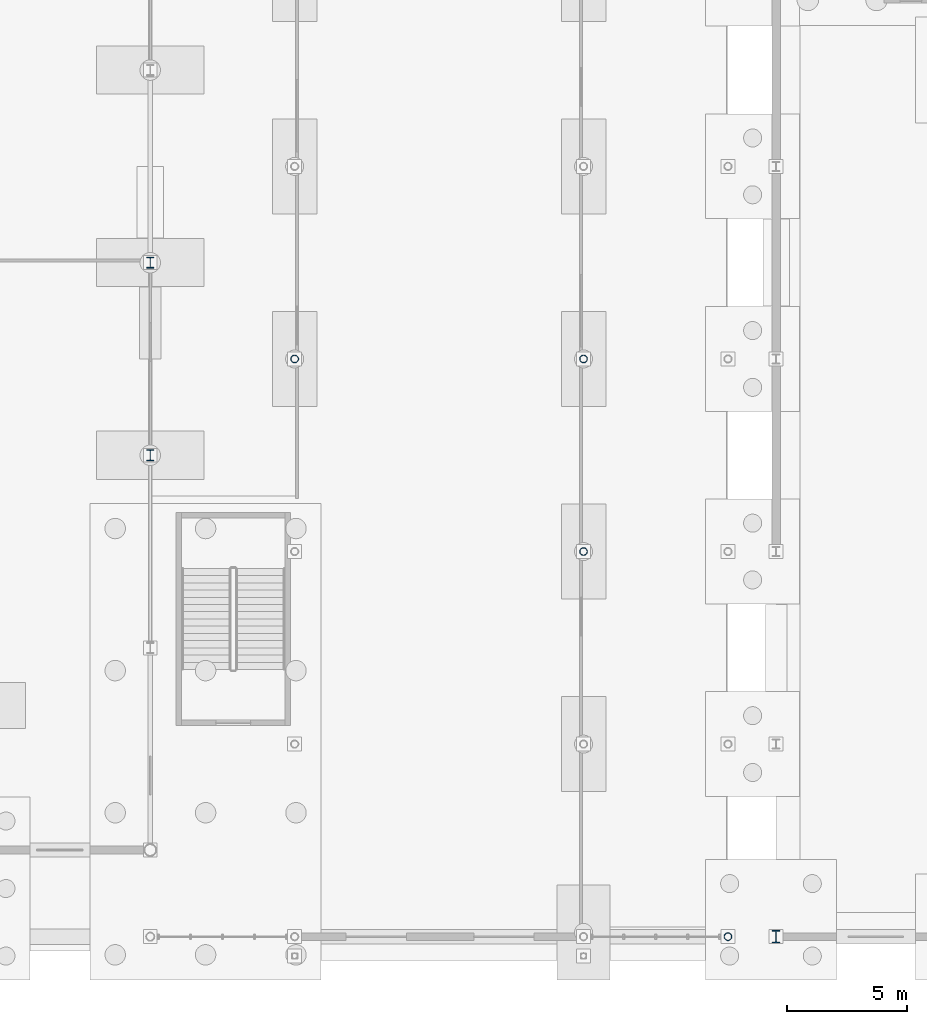
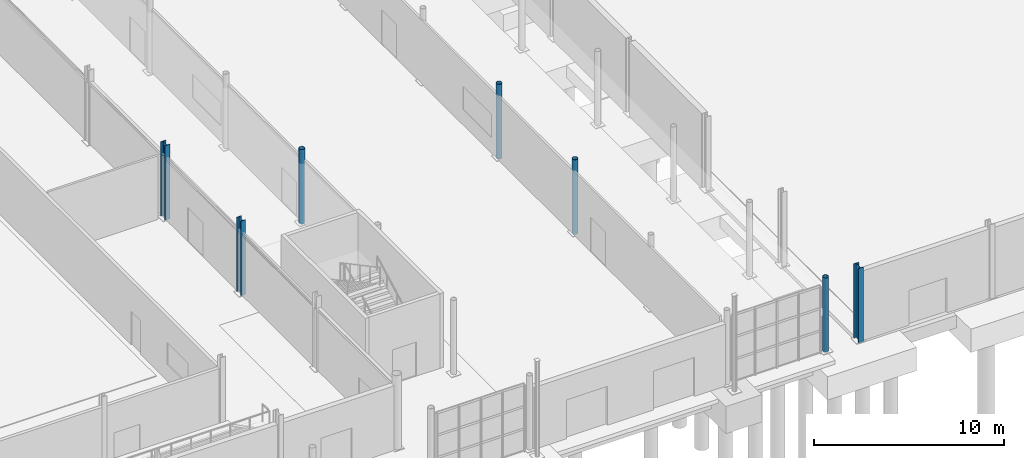
# One storey, part 12 of 101: 7 columns.
"""IFC4 building model written with IfcOpenShell, lengths in metres."""

from ifc_helpers import new_model, si_unit, derived_unit, direction, frame, origin, origin_2d, place, context, subcontext, project, spatial, hollow_circle, i_section, extrude, material, material_profile, profile_set, type_object, element, save


model = new_model("IFC4")

# Units and contexts
model_context = context("Model", 3, precision=1e-05, world=origin(), true_north=direction((0.0, 1.0)))
body_context = subcontext(model_context, "Body", "Model", "MODEL_VIEW")
ifc_project = project(units=[si_unit("LENGTHUNIT", "METRE"), si_unit("AREAUNIT", "SQUARE_METRE"), si_unit("VOLUMEUNIT", "CUBIC_METRE"), si_unit("PLANEANGLEUNIT", "RADIAN"), si_unit("MASSUNIT", "GRAM", prefix="KILO"), derived_unit("THERMALTRANSMITTANCEUNIT", [(si_unit("POWERUNIT", "WATT"), 1), (si_unit("LENGTHUNIT", "METRE"), -2), (si_unit("THERMODYNAMICTEMPERATUREUNIT", "KELVIN"), -1)])], contexts=[model_context])

# Site, building, storey
site_placement = place(None, origin())
site = spatial("IfcSite", under=ifc_project, at=site_placement, CompositionType="ELEMENT")
building_placement = place(site_placement, origin())
building = spatial("IfcBuilding", under=site, at=building_placement, Name="Keldorne Ridge Multi-Sports Centre", CompositionType="ELEMENT")
storey_placement = place(building_placement, origin())
storey = spatial("IfcBuildingStorey", under=building, at=storey_placement, Name="L00", CompositionType="ELEMENT", Elevation=0.0)

# Columns
ifc_material = material(Name="Steel S355", Category="steel")
ifc_material_profile_1 = material_profile(ifc_material, i_section(OverallWidth=0.305908203125, OverallDepth=0.52392578125, WebThickness=0.02099609375, FlangeThickness=0.0400390625, FilletRadius=0.027099609375, at=origin_2d()), Name="HEM 500")
ifc_profile_set_1 = profile_set([ifc_material_profile_1], Name="Steel S355")
column_type_1 = type_object("IfcColumnType", Name="COL-C-04", PredefinedType="COLUMN", material=ifc_profile_set_1)
column_placement = place(storey_placement, frame((104.0, 6.0, 0.0), z_axis=(0.0, 0.0, 1.0), x_axis=(1.0, 0.0, 0.0)))
element("IfcColumn", 1, at=column_placement, inside=storey, type_object=column_type_1, Name="Structural column V2-TRUSS-S-01 on L00", PredefinedType="COLUMN", context=body_context, shape_type="SweptSolid", body=[
    extrude(i_section(OverallWidth=0.305908203125, OverallDepth=0.52392578125, WebThickness=0.02099609375, FlangeThickness=0.0400390625, FilletRadius=0.027099609375, at=origin_2d()), origin(), (0.0, 0.0, 1.0), 4.800048828125),
])
ifc_material_profile_2 = material_profile(ifc_material, i_section(OverallWidth=0.300048828125, OverallDepth=0.449951171875, WebThickness=0.013916015625, FlangeThickness=0.02587890625, FilletRadius=0.027099609375, at=origin_2d()), Name="HEB 450")
ifc_profile_set_2 = profile_set([ifc_material_profile_2], Name="Steel S355")
column_type_2 = type_object("IfcColumnType", Name="COL-C-06", PredefinedType="COLUMN", material=ifc_profile_set_2)
for number, where, z_axis, x_axis, name in (
    (2, (78.0, 26.0, 0.0), (0.0, 0.0, 1.0), (1.0, 0.0, 0.0), "Structural column V1-GABLE-E-02 on L00"),
    (3, (78.0, 34.0, 0.0), (0.0, 0.0, 1.0), (1.0, 0.0, 0.0), "Structural column V1-GABLE-E-03 on L00"),
):
    element("IfcColumn", number, at=place(storey_placement, frame(where, z_axis=z_axis, x_axis=x_axis)), inside=storey, type_object=column_type_2, Name=name, PredefinedType="COLUMN", context=body_context, shape_type="SweptSolid", body=[
        extrude(i_section(OverallWidth=0.300048828125, OverallDepth=0.449951171875, WebThickness=0.013916015625, FlangeThickness=0.02587890625, FilletRadius=0.027099609375, at=origin_2d()), origin(), (0.0, 0.0, 1.0), 4.800048828125),
    ])
ifc_material_profile_3 = material_profile(ifc_material, hollow_circle(Radius=0.161865234375, WallThickness=0.01611328125, at=origin_2d()), Name="CHS 323.9x16")
ifc_profile_set_3 = profile_set([ifc_material_profile_3], Name="Steel S355")
column_type_3 = type_object("IfcColumnType", Name="COL-C-08", PredefinedType="COLUMN", material=ifc_profile_set_3)
for number, where, z_axis, x_axis, name in (
    (4, (102.0, 6.0, 0.0), (0.0, 0.0, 1.0), (1.0, 0.0, 0.0), "Structural column V4-G15-01 on L00"),
    (5, (96.0, 22.0, 0.0), (0.0, 0.0, 1.0), (1.0, 0.0, 0.0), "Structural column V4-G14-03 on L00"),
    (6, (84.0, 30.0, 0.0), (0.0, 0.0, 1.0), (1.0, 0.0, 0.0), "Structural column V4-G12-04 on L00"),
    (7, (96.0, 30.0, 0.0), (0.0, 0.0, 1.0), (1.0, 0.0, 0.0), "Structural column V4-G14-04 on L00"),
):
    element("IfcColumn", number, at=place(storey_placement, frame(where, z_axis=z_axis, x_axis=x_axis)), inside=storey, type_object=column_type_3, Name=name, PredefinedType="COLUMN", context=body_context, shape_type="SweptSolid", body=[
        extrude(hollow_circle(Radius=0.161865234375, WallThickness=0.01611328125, at=origin_2d()), origin(), (0.0, 0.0, 1.0), 4.800048828125),
    ])

save(model, "model.ifc")
